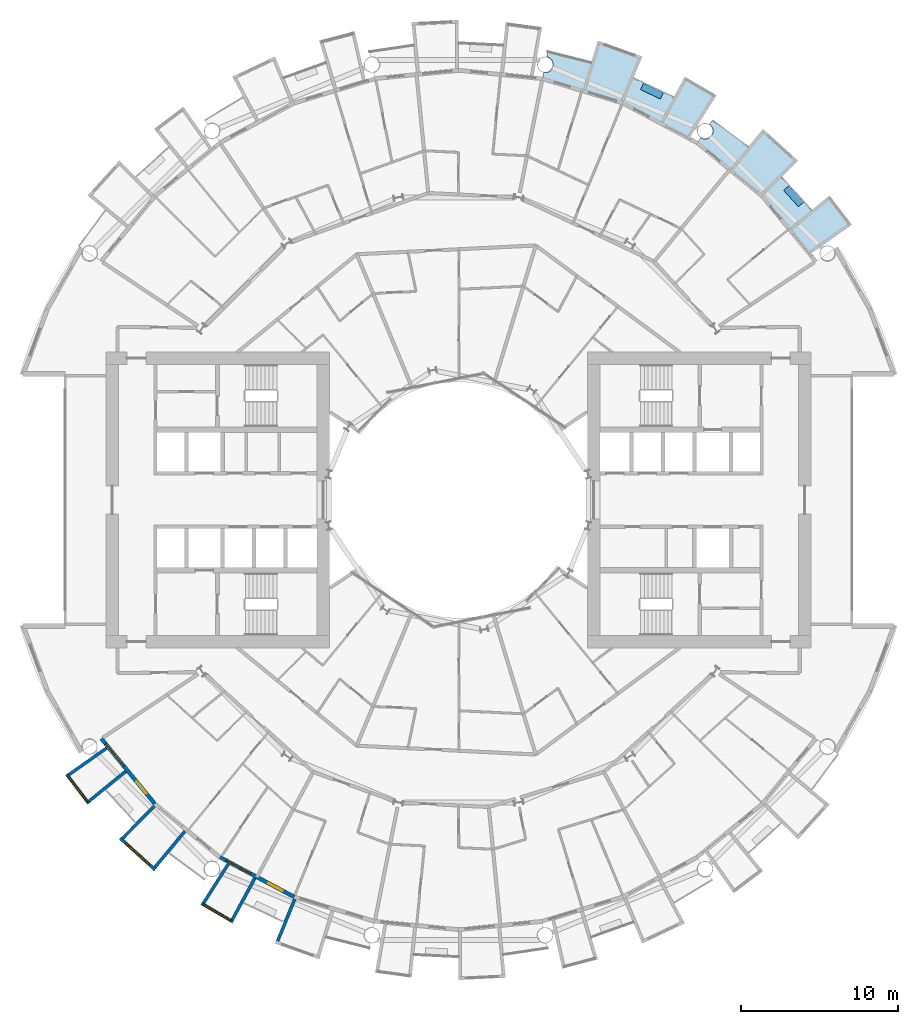
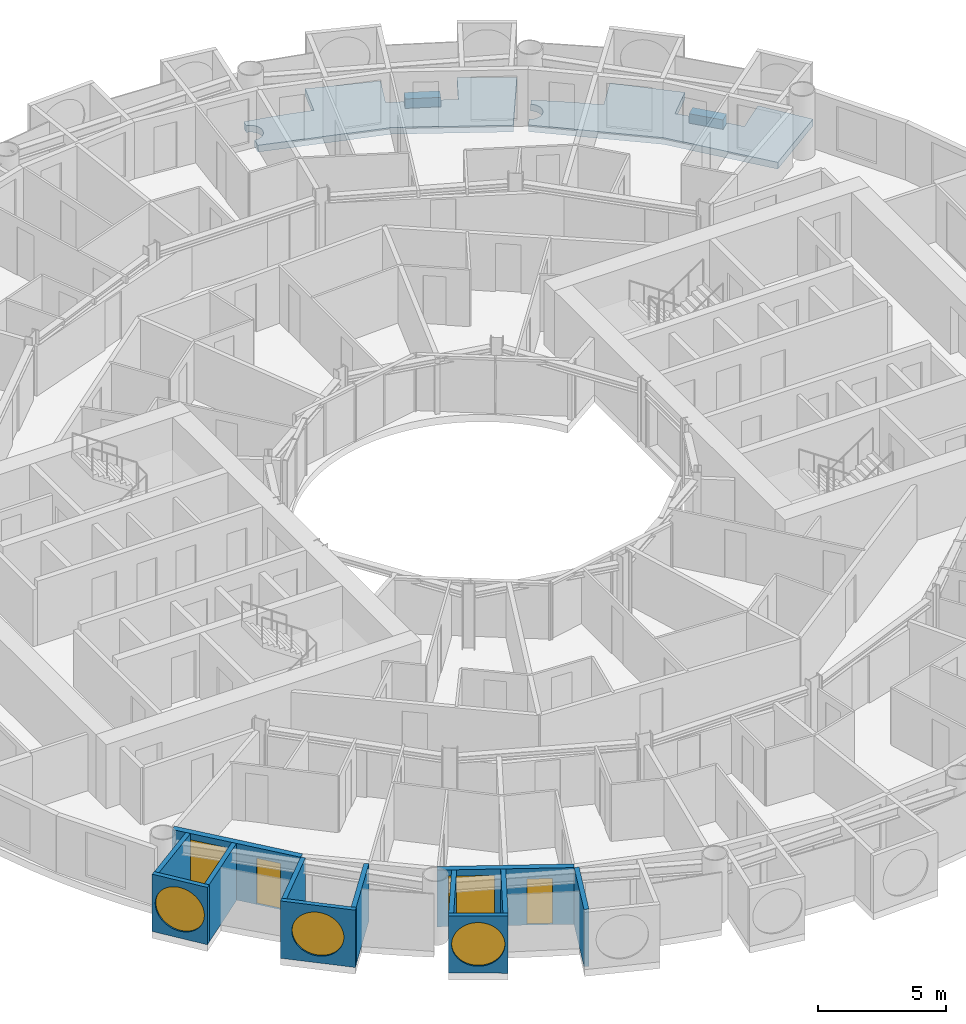
# One storey, part 12 of 26: 12 walls, 5 windows, 4 slabs, 2 doors, 7 openings.
"""IFC4 building model written with IfcOpenShell, lengths in metres."""

import ifcopenshell
import ifcopenshell.guid

model = None  # the IFC model being written
_history = None  # IfcOwnerHistory: only IFC2X3 demands one
_inside = {}  # id of a spatial element -> (the spatial element, [elements in it])
_under = {}  # id of a project, library or spatial element -> (it, [spatial elements below it])
_declared = {}  # id of a project -> (the project, [libraries it declares])
_typed = {}  # id of a type object -> (the type object, [elements of that type])
_made_of = {}  # id of a material, layer set ... -> (it, [elements and type objects made of it])


def new_model(schema):
    """Start an empty IFC model of exactly this schema.

    Asked for "IFC4X3", IfcOpenShell would pick the latest addendum, in which some entities
    have other attributes; the version numbers below select the first issue.
    IFC2X3 requires an IfcOwnerHistory on every rooted entity: one is made here for all.
    """
    global model, _history
    if schema == "IFC4X3":
        model = ifcopenshell.file(schema_version=(4, 3, 0, 0))
    else:
        model = ifcopenshell.file(schema=schema)
    _inside.clear()
    _under.clear()
    _declared.clear()
    _typed.clear()
    _made_of.clear()
    _history = None
    if model.schema == "IFC2X3":
        org = make("IfcOrganization", Name="unknown")
        user = make(
            "IfcPersonAndOrganization",
            ThePerson=make("IfcPerson", FamilyName="unknown"),
            TheOrganization=org,
        )
        app = make(
            "IfcApplication",
            ApplicationDeveloper=org,
            Version="unknown",
            ApplicationFullName="unknown",
            ApplicationIdentifier="unknown",
        )
        _history = make(
            "IfcOwnerHistory",
            OwningUser=user,
            OwningApplication=app,
            ChangeAction="ADDED",
            CreationDate=0,
        )
    return model


def make(cls, **values):
    """One entity of the class cls with the attributes given. An attribute that is None is left unset."""
    return model.create_entity(
        cls, **{name: value for name, value in values.items() if value is not None}
    )


def rooted(cls, **values):
    """An entity with a GlobalId (a new one), such as an element, a storey or a relation."""
    return make(cls, GlobalId=ifcopenshell.guid.new(), OwnerHistory=_history, **values)


def si_unit(unit_type, name, prefix=None):
    """IfcSIUnit, for example si_unit("LENGTHUNIT", "METRE", prefix="MILLI")."""
    return make("IfcSIUnit", UnitType=unit_type, Prefix=prefix, Name=name)


def assignment(units):
    """IfcUnitAssignment: the units of a project."""
    return None if units is None else make("IfcUnitAssignment", Units=units)


def point(xyz):
    """IfcCartesianPoint."""
    return None if xyz is None else make("IfcCartesianPoint", Coordinates=xyz)


def direction(xyz):
    """IfcDirection."""
    return None if xyz is None else make("IfcDirection", DirectionRatios=xyz)


def frame(location, z_axis=None, x_axis=None):
    """IfcAxis2Placement3D, a coordinate frame: its origin and axes. An axis left out is left unset."""
    return make(
        "IfcAxis2Placement3D",
        Location=point(location),
        Axis=direction(z_axis),
        RefDirection=direction(x_axis),
    )


def frame_2d(location, x_axis=None):
    """IfcAxis2Placement2D, a coordinate frame in the plane: its origin and x axis."""
    return make(
        "IfcAxis2Placement2D", Location=point(location), RefDirection=direction(x_axis)
    )


def origin():
    """The frame at (0, 0, 0) with its axes left unset."""
    return frame((0.0, 0.0, 0.0))


def place(relative_to, where):
    """IfcLocalPlacement: puts the frame where relative to a parent placement (None: the world)."""
    return make(
        "IfcLocalPlacement", PlacementRelTo=relative_to, RelativePlacement=where
    )


def context(
    kind, dimensions, precision=None, world=None, true_north=None, identifier=None
):
    """IfcGeometricRepresentationContext, for example the 3D "Model" context."""
    return make(
        "IfcGeometricRepresentationContext",
        ContextIdentifier=identifier,
        ContextType=kind,
        CoordinateSpaceDimension=dimensions,
        Precision=precision,
        WorldCoordinateSystem=world,
        TrueNorth=true_north,
    )


def subcontext(parent, identifier, kind, view, scale=None):
    """IfcGeometricRepresentationSubContext, for example "Body" below "Model"."""
    return make(
        "IfcGeometricRepresentationSubContext",
        ContextIdentifier=identifier,
        ContextType=kind,
        ParentContext=parent,
        TargetScale=scale,
        TargetView=view,
    )


def project(units=None, contexts=None):
    """IfcProject with its units and contexts."""
    return rooted(
        "IfcProject",
        Name="project",
        RepresentationContexts=contexts,
        UnitsInContext=assignment(units),
    )


def spatial(cls, under=None, at=None, **own):
    """A site, building, storey or space (cls), placed at a placement, below another one or the project."""
    s = rooted(cls, ObjectPlacement=at, **own)
    if under is not None:
        _under.setdefault(under.id(), (under, []))[1].append(s)
    return s


def polyline(points):
    """IfcPolyline through the points."""
    return make("IfcPolyline", Points=[point(p) for p in points])


def profile(cls, at=None, kind="AREA", **sizes):
    """A parametric profile (cls). Its sizes go by their IFC names, for example OverallWidth=200.0."""
    return make(cls, ProfileType=kind, Position=at, **sizes)


def rectangle(**sizes):
    """IfcRectangleProfileDef."""
    return profile("IfcRectangleProfileDef", **sizes)


def circle(**sizes):
    """IfcCircleProfileDef."""
    return profile("IfcCircleProfileDef", **sizes)


def outline(outer, holes=None, kind="AREA"):
    """IfcArbitraryClosedProfileDef: a profile drawn as a closed curve; with holes, ...WithVoids."""
    if holes is None:
        return make("IfcArbitraryClosedProfileDef", ProfileType=kind, OuterCurve=outer)
    return make(
        "IfcArbitraryProfileDefWithVoids",
        ProfileType=kind,
        OuterCurve=outer,
        InnerCurves=holes,
    )


def extrude(swept, where, along, depth):
    """IfcExtrudedAreaSolid: the profile swept, set in the frame where, extruded along a direction by depth."""
    return make(
        "IfcExtrudedAreaSolid",
        SweptArea=swept,
        Position=where,
        ExtrudedDirection=direction(along),
        Depth=depth,
    )


def shape(context_of_items, identifier, shape_type, items):
    """IfcShapeRepresentation: the items that make up one representation, for example the "Body"."""
    return make(
        "IfcShapeRepresentation",
        ContextOfItems=context_of_items,
        RepresentationIdentifier=identifier,
        RepresentationType=shape_type,
        Items=items,
    )


def material(Name=None, Category=None):
    """IfcMaterial."""
    return make("IfcMaterial", Name=Name, Category=Category)


def layer(
    of_material, thickness, ventilated=None, Name=None, Category=None, Priority=None
):
    """IfcMaterialLayer: one layer of a wall or slab, of a material (None: an air gap)."""
    return make(
        "IfcMaterialLayer",
        Material=of_material,
        LayerThickness=thickness,
        IsVentilated=ventilated,
        Name=Name,
        Category=Category,
        Priority=Priority,
    )


def layer_set(layers, Name=None):
    """IfcMaterialLayerSet."""
    return make("IfcMaterialLayerSet", MaterialLayers=layers, LayerSetName=Name)


def made_of(thing, what):
    """Note that an element or type object is made of a material, layer set ...; save() writes the relation."""
    if what is not None:
        _made_of.setdefault(what.id(), (what, []))[1].append(thing)
    return thing


def type_object(cls, material=None, **own):
    """A type object (cls), such as IfcWallType, which elements share."""
    return made_of(rooted(cls, **own), material)


def element(
    cls,
    number,
    at=None,
    inside=None,
    cuts=None,
    type_object=None,
    material=None,
    context=None,
    identifier="Body",
    shape_type=None,
    held_by="IfcProductDefinitionShape",
    body=None,
    shapes=None,
    **own,
):
    """One element of the class cls, such as IfcWall. Its Tag is "e" and its number.

    at: its placement. inside: the storey or other place that contains it. cuts: it is an
    opening in that element (IfcRelVoidsElement). A single representation is given by context,
    identifier, shape_type and body (its items); several are given by shapes. held_by: the class
    of the entity that holds the representations. save() writes the other relations.
    """
    e = rooted(cls, Tag="e%d" % number, ObjectPlacement=at, **own)
    if body is not None:
        shapes = [shape(context, identifier, shape_type, body)]
    if shapes is not None:
        e.Representation = make(held_by, Representations=shapes)
    if inside is not None:
        _inside.setdefault(inside.id(), (inside, []))[1].append(e)
    if cuts is not None:
        rooted(
            "IfcRelVoidsElement", RelatingBuildingElement=cuts, RelatedOpeningElement=e
        )
    if type_object is not None:
        _typed.setdefault(type_object.id(), (type_object, []))[1].append(e)
    return made_of(e, material)


def fill(opening, filler):
    """IfcRelFillsElement: the door or window that sits in an opening."""
    return rooted(
        "IfcRelFillsElement",
        RelatingOpeningElement=opening,
        RelatedBuildingElement=filler,
    )


def aggregate(whole, parts):
    """IfcRelAggregates: a whole, such as a stair, and the parts it consists of."""
    return rooted("IfcRelAggregates", RelatingObject=whole, RelatedObjects=parts)


def save(model, path):
    """Write the relations noted so far, then the file.

    IfcRelAggregates (storeys below a building ...), IfcRelContainedInSpatialStructure (elements
    in a storey), IfcRelDefinesByType, IfcRelAssociatesMaterial and IfcRelDeclares: one each for
    every whole, place, type object, material and project.
    """
    for whole, parts in _under.values():
        aggregate(whole, parts)
    for where, things in _inside.values():
        rooted(
            "IfcRelContainedInSpatialStructure",
            RelatedElements=things,
            RelatingStructure=where,
        )
    for kind, things in _typed.values():
        rooted("IfcRelDefinesByType", RelatedObjects=things, RelatingType=kind)
    for what, things in _made_of.values():
        rooted("IfcRelAssociatesMaterial", RelatedObjects=things, RelatingMaterial=what)
    for by, libraries in _declared.values():
        rooted("IfcRelDeclares", RelatingContext=by, RelatedDefinitions=libraries)
    model.write(path)


model = new_model("IFC4")

# Units and contexts
model_context = context("Model", 3, precision=1e-05, world=origin(), true_north=direction((0.0, 1.0)))
body_context = subcontext(model_context, "Body", "Model", "MODEL_VIEW")
ifc_project = project(units=[si_unit("LENGTHUNIT", "METRE"), si_unit("AREAUNIT", "SQUARE_METRE"), si_unit("VOLUMEUNIT", "CUBIC_METRE"), si_unit("PLANEANGLEUNIT", "RADIAN"), si_unit("MASSUNIT", "GRAM", prefix="KILO")], contexts=[model_context])

# Site, building, storey
site_placement = place(None, origin())
site = spatial("IfcSite", under=ifc_project, at=site_placement, CompositionType="ELEMENT")
building_placement = place(site_placement, origin())
building = spatial("IfcBuilding", under=site, at=building_placement, Name="Maasbend Ring Residences", CompositionType="ELEMENT")
storey_placement = place(building_placement, frame((0.0, 0.0, 44.14990234375)))
storey = spatial("IfcBuildingStorey", under=building, at=storey_placement, Name="L12", CompositionType="ELEMENT", Elevation=44.14990234375)

# Slabs
ifc_material_1 = material(Name="Planting with climbing greenery")
ifc_layer_1 = layer(ifc_material_1, 0.449951171875)
ifc_layer_set_1 = layer_set([ifc_layer_1], Name="PLANTER-LG")
slab_type_1 = type_object("IfcSlabType", Name="PLANTER-LG", PredefinedType="USERDEFINED", material=ifc_layer_set_1)
slab_1_placement = place(storey_placement, frame((0.0, 0.0, -0.02978515625)))
element("IfcSlab", 1, at=slab_1_placement, inside=storey, type_object=slab_type_1, Name="Planter with climbing greenery 1", ObjectType="PLANTER", PredefinedType="USERDEFINED", context=body_context, shape_type="SweptSolid", body=[
    extrude(outline(polyline([(21.931884765625, 18.93310546875), (20.991943359375, 19.969970703125), (20.657958984375, 19.66796875), (21.597900390625, 18.631103515625), (21.931884765625, 18.93310546875)])), origin(), (0.0, 0.0, 1.0), 0.449951171875),
])
slab_2_placement = place(storey_placement, frame((0.0, 0.0, -0.02978515625)))
element("IfcSlab", 2, at=slab_2_placement, inside=storey, type_object=slab_type_1, Name="Planter with climbing greenery 2", ObjectType="PLANTER", PredefinedType="USERDEFINED", context=body_context, shape_type="SweptSolid", body=[
    extrude(outline(polyline([(13.01708984375, 25.885009765625), (11.7509765625, 26.48291015625), (11.55908203125, 26.076904296875), (12.824951171875, 25.47802734375), (13.01708984375, 25.885009765625)])), origin(), (0.0, 0.0, 1.0), 0.449951171875),
])
ifc_material_2 = material(Name="Concrete C40/50", Category="concrete")
ifc_layer_2 = layer(ifc_material_2, 0.199951171875)
ifc_layer_set_2 = layer_set([ifc_layer_2], Name="Concrete C40/50")
slab_type_2 = type_object("IfcSlabType", Name="SL-LOGGIA", PredefinedType="FLOOR", material=ifc_layer_set_2)
slab_3_placement = place(storey_placement, frame((0.0, 0.0, -0.349853515625)))
element("IfcSlab", 3, at=slab_3_placement, inside=storey, type_object=slab_type_2, Name="Loggia floor 2", PredefinedType="FLOOR", context=body_context, shape_type="SweptSolid", body=[
    extrude(outline(polyline([(5.43896484375, 27.154052734375), (5.451904296875, 27.153076171875), (5.464111328125, 27.15087890625), (5.47705078125, 27.15087890625), (5.489013671875, 27.14990234375), (5.501953125, 27.14990234375), (5.513916015625, 27.14990234375), (5.52587890625, 27.15087890625), (5.5390625, 27.15087890625), (5.551025390625, 27.153076171875), (5.56396484375, 27.154052734375), (5.575927734375, 27.156005859375), (5.587890625, 27.157958984375), (5.60107421875, 27.159912109375), (5.613037109375, 27.162109375), (5.625, 27.1650390625), (5.636962890625, 27.1689453125), (5.64892578125, 27.172119140625), (5.660888671875, 27.176025390625), (5.673095703125, 27.179931640625), (5.68408203125, 27.18408203125), (5.696044921875, 27.18896484375), (5.70703125, 27.194091796875), (5.718994140625, 27.198974609375), (5.72998046875, 27.2041015625), (5.740966796875, 27.2099609375), (5.751953125, 27.216064453125), (5.762939453125, 27.221923828125), (5.77294921875, 27.22900390625), (5.783935546875, 27.236083984375), (5.7939453125, 27.242919921875), (5.803955078125, 27.25), (5.81396484375, 27.258056640625), (5.823974609375, 27.264892578125), (5.8330078125, 27.27294921875), (5.843017578125, 27.281982421875), (5.85205078125, 27.2900390625), (5.861083984375, 27.299072265625), (5.868896484375, 27.30810546875), (5.8779296875, 27.31689453125), (5.885986328125, 27.325927734375), (5.89404296875, 27.3359375), (5.902099609375, 27.345947265625), (5.909912109375, 27.35498046875), (5.9169921875, 27.365966796875), (5.924072265625, 27.3759765625), (5.930908203125, 27.385986328125), (5.93701171875, 27.39697265625), (5.944091796875, 27.407958984375), (5.949951171875, 27.4189453125), (5.955078125, 27.429931640625), (5.9609375, 27.44091796875), (5.966064453125, 27.451904296875), (5.970947265625, 27.464111328125), (5.97509765625, 27.47509765625), (5.97998046875, 27.487060546875), (5.98388671875, 27.4990234375), (5.988037109375, 27.510986328125), (5.990966796875, 27.52294921875), (5.993896484375, 27.534912109375), (5.9970703125, 27.547119140625), (6.0, 27.55908203125), (6.001953125, 27.571044921875), (6.00390625, 27.583984375), (6.006103515625, 27.595947265625), (6.007080078125, 27.60791015625), (6.008056640625, 27.62109375), (6.009033203125, 27.633056640625), (6.009033203125, 27.64599609375), (6.010009765625, 27.657958984375), (6.009033203125, 27.6708984375), (6.009033203125, 27.68310546875), (6.008056640625, 27.695068359375), (6.007080078125, 27.7080078125), (6.006103515625, 27.719970703125), (6.00390625, 27.73291015625), (6.001953125, 27.7451171875), (6.0, 27.757080078125), (5.9970703125, 27.76904296875), (5.993896484375, 27.781982421875), (5.990966796875, 27.7939453125), (5.988037109375, 27.805908203125), (5.98388671875, 27.81689453125), (5.97998046875, 27.8291015625), (5.97509765625, 27.841064453125), (5.970947265625, 27.85302734375), (5.966064453125, 27.864013671875), (5.9609375, 27.875), (5.955078125, 27.886962890625), (5.949951171875, 27.89794921875), (5.944091796875, 27.907958984375), (5.93701171875, 27.9189453125), (5.930908203125, 27.929931640625), (5.924072265625, 27.93994140625), (5.9169921875, 27.950927734375), (5.909912109375, 27.9609375), (5.902099609375, 27.970947265625), (5.89404296875, 27.97998046875), (5.885986328125, 27.989990234375), (5.8779296875, 27.9990234375), (5.868896484375, 28.008056640625), (5.861083984375, 28.01708984375), (5.85205078125, 28.02587890625), (5.843017578125, 28.034912109375), (5.8330078125, 28.04296875), (5.823974609375, 28.051025390625), (5.81396484375, 28.05908203125), (5.803955078125, 28.06591796875), (5.7939453125, 28.072998046875), (5.783935546875, 28.080078125), (5.77294921875, 28.0869140625), (5.762939453125, 28.093994140625), (5.751953125, 28.10009765625), (5.740966796875, 28.10595703125), (5.72998046875, 28.112060546875), (5.718994140625, 28.116943359375), (5.70703125, 28.123046875), (5.696044921875, 28.126953125), (5.68408203125, 28.132080078125), (5.673095703125, 28.135986328125), (5.660888671875, 28.139892578125), (5.64892578125, 28.14404296875), (5.636962890625, 28.14794921875), (5.625, 28.15087890625), (5.613037109375, 28.154052734375), (5.60107421875, 28.156005859375), (5.657958984375, 28.443115234375), (5.657958984375, 28.443115234375), (5.657958984375, 28.443115234375), (6.5849609375, 28.241943359375), (6.5849609375, 28.241943359375), (7.506103515625, 28.011962890625), (7.506103515625, 28.011962890625), (8.41796875, 27.7509765625), (8.41796875, 27.7509765625), (8.41796875, 27.7509765625), (8.41796875, 27.7509765625), (8.41796875, 27.7509765625), (8.41796875, 27.7509765625), (8.41796875, 27.7509765625), (8.41796875, 27.7509765625), (8.41796875, 27.7509765625), (8.41796875, 27.7509765625), (8.41796875, 27.751953125), (8.41796875, 27.751953125), (8.41796875, 27.751953125), (8.41796875, 27.751953125), (8.41796875, 27.751953125), (8.41796875, 27.751953125), (8.41796875, 27.751953125), (8.85400390625, 29.18701171875), (8.85400390625, 29.18701171875), (8.85400390625, 29.18701171875), (11.672119140625, 28.177978515625), (11.672119140625, 28.177978515625), (11.672119140625, 28.177978515625), (11.097900390625, 26.79296875), (11.097900390625, 26.79296875), (11.097900390625, 26.79296875), (11.097900390625, 26.79296875), (11.097900390625, 26.79296875), (11.097900390625, 26.79296875), (11.097900390625, 26.79296875), (11.097900390625, 26.79296875), (11.097900390625, 26.79296875), (11.097900390625, 26.79296875), (11.097900390625, 26.7919921875), (11.097900390625, 26.7919921875), (11.097900390625, 26.7919921875), (11.097900390625, 26.7919921875), (11.097900390625, 26.7919921875), (11.097900390625, 26.7919921875), (11.097900390625, 26.7919921875), (11.968994140625, 26.4150390625), (11.968994140625, 26.4150390625), (12.825927734375, 26.009033203125), (12.825927734375, 26.009033203125), (13.669921875, 25.575927734375), (13.669921875, 25.575927734375), (13.669921875, 25.575927734375), (13.669921875, 25.575927734375), (13.669921875, 25.575927734375), (13.669921875, 25.575927734375), (13.669921875, 25.575927734375), (13.669921875, 25.575927734375), (13.669921875, 25.575927734375), (13.669921875, 25.575927734375), (13.6708984375, 25.575927734375), (13.6708984375, 25.575927734375), (13.6708984375, 25.575927734375), (13.6708984375, 25.575927734375), (13.6708984375, 25.575927734375), (13.6708984375, 25.575927734375), (13.6708984375, 25.575927734375), (14.3779296875, 26.89892578125), (14.3779296875, 26.89892578125), (14.3779296875, 26.89892578125), (16.39404296875, 25.718994140625), (16.39404296875, 25.718994140625), (16.39404296875, 25.718994140625), (14.64599609375, 22.97705078125), (14.64599609375, 22.97705078125), (14.64599609375, 22.97705078125), (12.806884765625, 23.9609375), (10.447021484375, 25.221923828125), (10.447021484375, 25.221923828125), (10.447021484375, 25.221923828125), (7.886962890625, 25.9990234375), (5.325927734375, 26.77490234375), (5.325927734375, 26.77490234375), (5.325927734375, 26.77490234375), (5.402099609375, 27.159912109375), (5.4150390625, 27.157958984375), (5.427001953125, 27.156005859375), (5.43896484375, 27.154052734375)])), origin(), (0.0, 0.0, 1.0), 0.320068359375),
])
slab_4_placement = place(storey_placement, frame((0.0, 0.0, -0.349853515625)))
element("IfcSlab", 4, at=slab_4_placement, inside=storey, type_object=slab_type_2, Name="Loggia floor 4", PredefinedType="FLOOR", context=body_context, shape_type="SweptSolid", body=[
    extrude(outline(polyline([(15.406005859375, 23.011962890625), (15.4169921875, 23.0048828125), (15.427978515625, 22.9990234375), (15.43896484375, 22.993896484375), (15.449951171875, 22.988037109375), (15.4609375, 22.98291015625), (15.472900390625, 22.97802734375), (15.48388671875, 22.972900390625), (15.49609375, 22.968994140625), (15.508056640625, 22.965087890625), (15.52001953125, 22.9609375), (15.531982421875, 22.9580078125), (15.5439453125, 22.955078125), (15.555908203125, 22.951904296875), (15.568115234375, 22.948974609375), (15.580078125, 22.947021484375), (15.593017578125, 22.945068359375), (15.60498046875, 22.943115234375), (15.616943359375, 22.94189453125), (15.6298828125, 22.94091796875), (15.64208984375, 22.93994140625), (15.655029296875, 22.93994140625), (15.6669921875, 22.93896484375), (15.679931640625, 22.93994140625), (15.69189453125, 22.93994140625), (15.7041015625, 22.94091796875), (15.717041015625, 22.94189453125), (15.72900390625, 22.943115234375), (15.741943359375, 22.945068359375), (15.75390625, 22.947021484375), (15.76611328125, 22.948974609375), (15.778076171875, 22.951904296875), (15.791015625, 22.955078125), (15.802978515625, 22.9580078125), (15.81494140625, 22.9609375), (15.825927734375, 22.965087890625), (15.837890625, 22.968994140625), (15.85009765625, 22.972900390625), (15.862060546875, 22.97802734375), (15.873046875, 22.98291015625), (15.884033203125, 22.988037109375), (15.89599609375, 22.993896484375), (15.906982421875, 22.9990234375), (15.9169921875, 23.0048828125), (15.927978515625, 23.011962890625), (15.93896484375, 23.01806640625), (15.948974609375, 23.02490234375), (15.9599609375, 23.031982421875), (15.969970703125, 23.0390625), (15.97998046875, 23.047119140625), (15.989013671875, 23.054931640625), (15.9990234375, 23.06298828125), (16.008056640625, 23.071044921875), (16.01708984375, 23.0791015625), (16.02587890625, 23.087890625), (16.034912109375, 23.096923828125), (16.0439453125, 23.10595703125), (16.052001953125, 23.115966796875), (16.06005859375, 23.125), (16.068115234375, 23.135009765625), (16.074951171875, 23.14501953125), (16.08203125, 23.155029296875), (16.089111328125, 23.1650390625), (16.095947265625, 23.176025390625), (16.10302734375, 23.18603515625), (16.10888671875, 23.197021484375), (16.114990234375, 23.2080078125), (16.12109375, 23.218994140625), (16.1259765625, 23.22998046875), (16.132080078125, 23.241943359375), (16.135986328125, 23.2529296875), (16.14111328125, 23.264892578125), (16.14501953125, 23.27587890625), (16.14892578125, 23.2880859375), (16.153076171875, 23.300048828125), (16.156982421875, 23.31201171875), (16.159912109375, 23.323974609375), (16.1630859375, 23.3359375), (16.1650390625, 23.347900390625), (16.16796875, 23.361083984375), (16.169921875, 23.373046875), (16.1708984375, 23.385009765625), (16.173095703125, 23.39794921875), (16.174072265625, 23.409912109375), (16.174072265625, 23.422119140625), (16.175048828125, 23.43505859375), (16.175048828125, 23.447021484375), (16.175048828125, 23.4599609375), (16.174072265625, 23.471923828125), (16.174072265625, 23.485107421875), (16.173095703125, 23.4970703125), (16.1708984375, 23.510009765625), (16.169921875, 23.52197265625), (16.16796875, 23.533935546875), (16.1650390625, 23.547119140625), (16.1630859375, 23.55908203125), (16.159912109375, 23.571044921875), (16.156982421875, 23.5830078125), (16.153076171875, 23.594970703125), (16.14892578125, 23.60693359375), (16.14501953125, 23.618896484375), (16.14111328125, 23.6298828125), (16.135986328125, 23.64208984375), (16.132080078125, 23.653076171875), (16.1259765625, 23.6650390625), (16.12109375, 23.676025390625), (16.114990234375, 23.68701171875), (16.10888671875, 23.697998046875), (16.10302734375, 23.708984375), (16.095947265625, 23.718994140625), (16.089111328125, 23.72998046875), (16.08203125, 23.739990234375), (16.074951171875, 23.75), (16.068115234375, 23.760009765625), (16.06005859375, 23.77001953125), (16.052001953125, 23.779052734375), (16.0439453125, 23.7890625), (16.034912109375, 23.798095703125), (16.02587890625, 23.806884765625), (16.01708984375, 23.81494140625), (16.008056640625, 23.823974609375), (15.9990234375, 23.83203125), (15.989013671875, 23.840087890625), (15.97998046875, 23.847900390625), (15.969970703125, 23.85498046875), (15.9599609375, 23.863037109375), (15.948974609375, 23.8701171875), (15.948974609375, 23.8701171875), (16.112060546875, 24.113037109375), (16.112060546875, 24.113037109375), (16.112060546875, 24.113037109375), (16.89208984375, 23.572998046875), (16.89208984375, 23.572998046875), (17.654052734375, 23.007080078125), (17.654052734375, 23.007080078125), (18.39697265625, 22.41796875), (18.39697265625, 22.41796875), (18.39697265625, 22.41796875), (18.39697265625, 22.41796875), (18.39697265625, 22.41796875), (18.39697265625, 22.41796875), (18.39697265625, 22.41796875), (18.39697265625, 22.41796875), (18.39697265625, 22.41796875), (18.39697265625, 22.41796875), (18.39697265625, 22.41796875), (18.39794921875, 22.41796875), (18.39794921875, 22.41796875), (18.39794921875, 22.41796875), (18.39794921875, 22.41796875), (18.39794921875, 22.41796875), (18.39794921875, 22.41796875), (19.34912109375, 23.576904296875), (19.34912109375, 23.576904296875), (19.34912109375, 23.576904296875), (21.56689453125, 21.56689453125), (21.56689453125, 21.56689453125), (21.56689453125, 21.56689453125), (20.506103515625, 20.506103515625), (20.506103515625, 20.506103515625), (20.506103515625, 20.506103515625), (20.506103515625, 20.506103515625), (20.506103515625, 20.506103515625), (20.506103515625, 20.506103515625), (20.506103515625, 20.506103515625), (20.506103515625, 20.506103515625), (20.506103515625, 20.506103515625), (20.506103515625, 20.506103515625), (20.506103515625, 20.506103515625), (20.506103515625, 20.506103515625), (20.506103515625, 20.506103515625), (20.506103515625, 20.506103515625), (20.506103515625, 20.506103515625), (20.506103515625, 20.506103515625), (20.506103515625, 20.506103515625), (21.166015625, 19.823974609375), (21.166015625, 19.823974609375), (21.802978515625, 19.12109375), (21.802978515625, 19.12109375), (22.4169921875, 18.39794921875), (22.4169921875, 18.39794921875), (22.4169921875, 18.39794921875), (22.4169921875, 18.39794921875), (22.4169921875, 18.39794921875), (22.4169921875, 18.39794921875), (22.4169921875, 18.39794921875), (22.4169921875, 18.39794921875), (22.4169921875, 18.39794921875), (22.4169921875, 18.39794921875), (22.4169921875, 18.39794921875), (22.4169921875, 18.39794921875), (22.41796875, 18.39794921875), (22.41796875, 18.39794921875), (22.41796875, 18.39794921875), (22.41796875, 18.39794921875), (22.41796875, 18.39794921875), (23.576904296875, 19.34912109375), (23.576904296875, 19.34912109375), (23.576904296875, 19.34912109375), (24.989013671875, 17.488037109375), (24.989013671875, 17.488037109375), (24.989013671875, 17.488037109375), (22.324951171875, 15.623046875), (22.324951171875, 15.623046875), (22.324951171875, 15.623046875), (21.001953125, 17.236083984375), (19.303955078125, 19.303955078125), (19.303955078125, 19.303955078125), (19.303955078125, 19.303955078125), (17.236083984375, 21.001953125), (15.1669921875, 22.698974609375), (15.1669921875, 22.698974609375), (15.1669921875, 22.698974609375), (15.385009765625, 23.02490234375), (15.385009765625, 23.02490234375), (15.39501953125, 23.01806640625), (15.406005859375, 23.011962890625)])), origin(), (0.0, 0.0, 1.0), 0.320068359375),
])

# Wall, opening, window
ifc_material_3 = material(Name="Pale anodised aluminium panel", Category="aluminium")
ifc_layer_3 = layer(ifc_material_3, 0.199951171875)
ifc_layer_set_3 = layer_set([ifc_layer_3], Name="EW-BOX")
wall_type_1 = type_object("IfcWallType", Name="EW-BOX", PredefinedType="SOLIDWALL", material=ifc_layer_set_3)
wall_1_placement = place(storey_placement, frame((-24.908935546875, -17.427001953125, -0.02978515625), z_axis=(0.0, 0.0, 1.0), x_axis=(0.60418752353, -0.796842165306, 0.0)))
wall_1 = element("IfcWall", 5, at=wall_1_placement, inside=storey, type_object=wall_type_1, Name="Box front S01", PredefinedType="SOLIDWALL", context=body_context, shape_type="SweptSolid", body=[
    extrude(rectangle(XDim=2.3369140625, YDim=0.199951171875, at=frame_2d((1.16845703125, 0.0))), origin(), (0.0, 0.0, 1.0), 2.72998046875),
])
opening_1_placement = place(wall_1_placement, frame((0.128173828125, 0.0, 0.330078125)))
opening_1 = element("IfcOpeningElement", 6, at=opening_1_placement, cuts=wall_1, Name="Opening W-RD", PredefinedType="OPENING", context=body_context, shape_type="SweptSolid", body=[
    extrude(circle(Radius=1.0400390625, at=frame_2d((1.0400390625, 1.0400390625))), frame((0.0, 0.10986328125, 0.0), z_axis=(0.0, -1.0, 0.0), x_axis=(1.0, 0.0, 0.0)), (0.0, 0.0, 1.0), 0.219970703125),
])
ifc_material_4 = material(Name="Aluminium and clear glass", Category="aluminium")
window_type_1 = type_object("IfcWindowType", Name="W-RD", PartitioningType="SINGLE_PANEL", PredefinedType="WINDOW", material=ifc_material_4)
window_1_placement = place(opening_1_placement, origin())
window_1 = element("IfcWindow", 7, at=window_1_placement, inside=storey, type_object=window_type_1, Name="Round window S01", OverallHeight=2.080078125, OverallWidth=2.080078125, PartitioningType="SINGLE_PANEL", PredefinedType="WINDOW", context=body_context, shape_type="SweptSolid", body=[
    extrude(circle(Radius=1.0400390625, at=frame_2d((1.0400390625, 1.0400390625))), frame((0.0, 0.030029296875, 0.0), z_axis=(0.0, -1.0, 0.0), x_axis=(1.0, 0.0, 0.0)), (0.0, 0.0, 1.0), 0.06005859375),
])
fill(opening_1, window_1)

# Walls
wall_2_placement = place(storey_placement, frame((-22.3701171875, -15.764892578125, -0.02978515625), z_axis=(0.0, 0.0, 1.0), x_axis=(-0.817256123454, -0.576274612209, 0.0)))
element("IfcWall", 8, at=wall_2_placement, inside=storey, type_object=wall_type_1, Name="Box side wall S01 left", PredefinedType="SOLIDWALL", context=body_context, shape_type="SweptSolid", body=[
    extrude(rectangle(XDim=2.932861328125, YDim=0.199951171875, at=frame_2d((1.46630859375, 0.0))), origin(), (0.0, 0.0, 1.0), 2.72998046875),
])
wall_3_placement = place(storey_placement, frame((-21.155029296875, -17.24609375, -0.02978515625), z_axis=(0.0, 0.0, 1.0), x_axis=(-0.775179004516, -0.631741648902, 0.0)))
element("IfcWall", 9, at=wall_3_placement, inside=storey, type_object=wall_type_1, Name="Box side wall S01 right", PredefinedType="SOLIDWALL", context=body_context, shape_type="SweptSolid", body=[
    extrude(rectangle(XDim=3.005859375, YDim=0.199951171875, at=frame_2d((1.5029296875, 0.0))), origin(), (0.0, 0.0, 1.0), 2.72998046875),
])

# Wall, opening, window
wall_4_placement = place(storey_placement, frame((-21.5, -21.492919921875, -0.02978515625), z_axis=(0.0, 0.0, 1.0), x_axis=(0.740998365753, -0.671506829416, 0.0)))
wall_4 = element("IfcWall", 10, at=wall_4_placement, inside=storey, type_object=wall_type_1, Name="Box front S03", PredefinedType="SOLIDWALL", context=body_context, shape_type="SweptSolid", body=[
    extrude(rectangle(XDim=2.9931640625, YDim=0.199951171875, at=frame_2d((1.49658203125, 0.0))), origin(), (0.0, 0.0, 1.0), 2.72998046875),
])
opening_2_placement = place(wall_4_placement, frame((0.45654296875, 0.0, 0.330078125)))
opening_2 = element("IfcOpeningElement", 11, at=opening_2_placement, cuts=wall_4, Name="Opening W-RD", PredefinedType="OPENING", context=body_context, shape_type="SweptSolid", body=[
    extrude(circle(Radius=1.0400390625, at=frame_2d((1.0400390625, 1.0400390625))), frame((0.0, 0.10986328125, 0.0), z_axis=(0.0, -1.0, 0.0), x_axis=(1.0, 0.0, 0.0)), (0.0, 0.0, 1.0), 0.219970703125),
])
window_2_placement = place(opening_2_placement, origin())
window_2 = element("IfcWindow", 12, at=window_2_placement, inside=storey, type_object=window_type_1, Name="Round window S03", OverallHeight=2.080078125, OverallWidth=2.080078125, PartitioningType="SINGLE_PANEL", PredefinedType="WINDOW", context=body_context, shape_type="SweptSolid", body=[
    extrude(circle(Radius=1.0400390625, at=frame_2d((1.0400390625, 1.0400390625))), frame((0.0, 0.030029296875, 0.0), z_axis=(0.0, -1.0, 0.0), x_axis=(1.0, 0.0, 0.0)), (0.0, 0.0, 1.0), 0.06005859375),
])
fill(opening_2, window_2)

# Walls
wall_5_placement = place(storey_placement, frame((-19.322998046875, -19.449951171875, -0.02978515625), z_axis=(0.0, 0.0, 1.0), x_axis=(-0.704476739375, -0.709727076896, 0.0)))
element("IfcWall", 13, at=wall_5_placement, inside=storey, type_object=wall_type_1, Name="Box side wall S03 left", PredefinedType="SOLIDWALL", context=body_context, shape_type="SweptSolid", body=[
    extrude(rectangle(XDim=2.883056640625, YDim=0.199951171875, at=frame_2d((1.44140625, 0.0))), origin(), (0.0, 0.0, 1.0), 2.72998046875),
])
wall_6_placement = place(storey_placement, frame((-17.384033203125, -21.041015625, -0.02978515625), z_axis=(0.0, 0.0, 1.0), x_axis=(-0.63709551667, -0.770784861449, 0.0)))
element("IfcWall", 14, at=wall_6_placement, inside=storey, type_object=wall_type_1, Name="Box side wall S03 right", PredefinedType="SOLIDWALL", context=body_context, shape_type="SweptSolid", body=[
    extrude(rectangle(XDim=3.005859375, YDim=0.199951171875, at=frame_2d((1.5029296875, 0.0))), origin(), (0.0, 0.0, 1.0), 2.72998046875),
])

# Wall, opening, window
wall_7_placement = place(storey_placement, frame((-16.343994140625, -25.633056640625, -0.02978515625), z_axis=(0.0, 0.0, 1.0), x_axis=(0.863346521872, -0.504611517081, 0.0)))
wall_7 = element("IfcWall", 15, at=wall_7_placement, inside=storey, type_object=wall_type_1, Name="Box front S05", PredefinedType="SOLIDWALL", context=body_context, shape_type="SweptSolid", body=[
    extrude(rectangle(XDim=2.33642578125, YDim=0.199951171875, at=frame_2d((1.168212890625, 0.0))), origin(), (0.0, 0.0, 1.0), 2.72998046875),
])
opening_3_placement = place(wall_7_placement, frame((0.128173828125, 0.0, 0.330078125)))
opening_3 = element("IfcOpeningElement", 16, at=opening_3_placement, cuts=wall_7, Name="Opening W-RD", PredefinedType="OPENING", context=body_context, shape_type="SweptSolid", body=[
    extrude(circle(Radius=1.0400390625, at=frame_2d((1.0400390625, 1.0400390625))), frame((0.0, 0.10986328125, 0.0), z_axis=(0.0, -1.0, 0.0), x_axis=(1.0, 0.0, 0.0)), (0.0, 0.0, 1.0), 0.219970703125),
])
window_3_placement = place(opening_3_placement, origin())
window_3 = element("IfcWindow", 17, at=window_3_placement, inside=storey, type_object=window_type_1, Name="Round window S05", OverallHeight=2.080078125, OverallWidth=2.080078125, PartitioningType="SINGLE_PANEL", PredefinedType="WINDOW", context=body_context, shape_type="SweptSolid", body=[
    extrude(circle(Radius=1.0400390625, at=frame_2d((1.0400390625, 1.0400390625))), frame((0.0, 0.030029296875, 0.0), z_axis=(0.0, -1.0, 0.0), x_axis=(1.0, 0.0, 0.0)), (0.0, 0.0, 1.0), 0.06005859375),
])
fill(opening_3, window_3)

# Walls
wall_8_placement = place(storey_placement, frame((-14.635009765625, -23.1259765625, -0.02978515625), z_axis=(0.0, 0.0, 1.0), x_axis=(-0.534437802731, -0.845207805816, 0.0)))
element("IfcWall", 18, at=wall_8_placement, inside=storey, type_object=wall_type_1, Name="Box side wall S05 left", PredefinedType="SOLIDWALL", context=body_context, shape_type="SweptSolid", body=[
    extrude(rectangle(XDim=2.931884765625, YDim=0.199951171875, at=frame_2d((1.4658203125, 0.0))), origin(), (0.0, 0.0, 1.0), 2.72998046875),
])
wall_9_placement = place(storey_placement, frame((-12.945068359375, -24.029052734375, -0.02978515625), z_axis=(0.0, 0.0, 1.0), x_axis=(-0.474424310775, -0.88029629861, 0.0)))
element("IfcWall", 19, at=wall_9_placement, inside=storey, type_object=wall_type_1, Name="Box side wall S05 right", PredefinedType="SOLIDWALL", context=body_context, shape_type="SweptSolid", body=[
    extrude(rectangle(XDim=3.005859375, YDim=0.199951171875, at=frame_2d((1.5029296875, 0.0))), origin(), (0.0, 0.0, 1.0), 2.72998046875),
])
wall_10_placement = place(storey_placement, frame((-10.408935546875, -25.364013671875, -0.02978515625), z_axis=(0.0, 0.0, 1.0), x_axis=(-0.379509886562, -0.925187681501, 0.0)))
element("IfcWall", 20, at=wall_10_placement, inside=storey, type_object=wall_type_1, Name="Box side wall S07 left", PredefinedType="SOLIDWALL", context=body_context, shape_type="SweptSolid", body=[
    extrude(rectangle(XDim=2.882568359375, YDim=0.199951171875, at=frame_2d((1.44140625, 0.0))), origin(), (0.0, 0.0, 1.0), 2.72998046875),
])

# Wall, openings, door, window
ifc_material_5 = material(Name="Aluminium clad insulated panel", Category="aluminium")
ifc_layer_4 = layer(ifc_material_5, 0.25)
ifc_layer_set_4 = layer_set([ifc_layer_4], Name="EW-GL")
wall_type_2 = type_object("IfcWallType", Name="EW-GL", PredefinedType="SOLIDWALL", material=ifc_layer_set_4)
wall_11_placement = place(storey_placement, frame((-22.698974609375, -15.1669921875, 0.0), z_axis=(0.0, 0.0, 1.0), x_axis=(0.634382322723, -0.773019449054, 0.0)))
wall_11 = element("IfcWall", 21, at=wall_11_placement, inside=storey, type_object=wall_type_2, Name="External wall S01", PredefinedType="SOLIDWALL", context=body_context, shape_type="SweptSolid", body=[
    extrude(rectangle(XDim=5.351806640625, YDim=0.25, at=frame_2d((2.67578125, 0.0))), origin(), (0.0, 0.0, 1.0), 2.7001953125),
])
opening_4_placement = place(wall_11_placement, frame((0.441162109375, 0.0, 0.300048828125)))
opening_4 = element("IfcOpeningElement", 22, at=opening_4_placement, cuts=wall_11, Name="Opening W-BX", PredefinedType="OPENING", context=body_context, shape_type="SweptSolid", body=[
    extrude(rectangle(XDim=1.800048828125, YDim=2.10009765625, at=frame_2d((0.89990234375, 1.050048828125))), frame((0.0, 0.135009765625, 0.0), z_axis=(0.0, -1.0, 0.0), x_axis=(1.0, 0.0, 0.0)), (0.0, 0.0, 1.0), 0.27001953125),
])
opening_5_placement = place(wall_11_placement, frame((3.510498046875, 0.0, 0.0)))
opening_5 = element("IfcOpeningElement", 23, at=opening_5_placement, cuts=wall_11, Name="Opening D-LG", PredefinedType="OPENING", context=body_context, shape_type="SweptSolid", body=[
    extrude(rectangle(XDim=1.0, YDim=2.199951171875, at=frame_2d((0.5, 1.10009765625))), frame((0.0, 0.135009765625, 0.0), z_axis=(0.0, -1.0, 0.0), x_axis=(1.0, 0.0, 0.0)), (0.0, 0.0, 1.0), 0.27001953125),
])
ifc_material_6 = material(Name="Aluminium and clear glass", Category="aluminium")
door_type = type_object("IfcDoorType", Name="D-LG", OperationType="SINGLE_SWING_LEFT", PredefinedType="DOOR", material=ifc_material_6)
door_1_placement = place(opening_5_placement, origin())
door_1 = element("IfcDoor", 24, at=door_1_placement, inside=storey, type_object=door_type, Name="Loggia door S02", OperationType="SINGLE_SWING_LEFT", OverallHeight=2.199951171875, OverallWidth=1.0, PredefinedType="DOOR", context=body_context, shape_type="SweptSolid", body=[
    extrude(rectangle(XDim=1.0, YDim=2.199951171875, at=frame_2d((0.5, 1.10009765625))), frame((0.0, 0.02490234375, 0.0), z_axis=(0.0, -1.0, 0.0), x_axis=(1.0, 0.0, 0.0)), (0.0, 0.0, 1.0), 0.050048828125),
])
fill(opening_5, door_1)
ifc_material_7 = material(Name="Aluminium and clear glass", Category="aluminium")
window_type_2 = type_object("IfcWindowType", Name="W-BX", PartitioningType="DOUBLE_PANEL_VERTICAL", PredefinedType="WINDOW", material=ifc_material_7)
window_4_placement = place(opening_4_placement, origin())
window_4 = element("IfcWindow", 25, at=window_4_placement, inside=storey, type_object=window_type_2, Name="Window S01 room to box", OverallHeight=2.10009765625, OverallWidth=1.800048828125, PartitioningType="SINGLE_PANEL", PredefinedType="WINDOW", context=body_context, shape_type="SweptSolid", body=[
    extrude(rectangle(XDim=1.800048828125, YDim=2.10009765625, at=frame_2d((0.89990234375, 1.050048828125))), frame((0.0, 0.030029296875, 0.0), z_axis=(0.0, -1.0, 0.0), x_axis=(1.0, 0.0, 0.0)), (0.0, 0.0, 1.0), 0.06005859375),
])
fill(opening_4, window_4)

wall_12_placement = place(storey_placement, frame((-15.1669921875, -22.698974609375, 0.0), z_axis=(0.0, 0.0, 1.0), x_axis=(0.881915646801, -0.471407246368, 0.0)))
wall_12 = element("IfcWall", 26, at=wall_12_placement, inside=storey, type_object=wall_type_2, Name="External wall S03", PredefinedType="SOLIDWALL", context=body_context, shape_type="SweptSolid", body=[
    extrude(rectangle(XDim=5.35205078125, YDim=0.25, at=frame_2d((2.676025390625, 0.0))), origin(), (0.0, 0.0, 1.0), 2.7001953125),
])
opening_6_placement = place(wall_12_placement, frame((0.441162109375, 0.0, 0.300048828125)))
opening_6 = element("IfcOpeningElement", 27, at=opening_6_placement, cuts=wall_12, Name="Opening W-BX", PredefinedType="OPENING", context=body_context, shape_type="SweptSolid", body=[
    extrude(rectangle(XDim=1.800048828125, YDim=2.10009765625, at=frame_2d((0.89990234375, 1.050048828125))), frame((0.0, 0.135009765625, 0.0), z_axis=(0.0, -1.0, 0.0), x_axis=(1.0, 0.0, 0.0)), (0.0, 0.0, 1.0), 0.27001953125),
])
opening_7_placement = place(wall_12_placement, frame((3.510498046875, 0.0, 0.0)))
opening_7 = element("IfcOpeningElement", 28, at=opening_7_placement, cuts=wall_12, Name="Opening D-LG", PredefinedType="OPENING", context=body_context, shape_type="SweptSolid", body=[
    extrude(rectangle(XDim=1.0, YDim=2.199951171875, at=frame_2d((0.5, 1.10009765625))), frame((0.0, 0.135009765625, 0.0), z_axis=(0.0, -1.0, 0.0), x_axis=(1.0, 0.0, 0.0)), (0.0, 0.0, 1.0), 0.27001953125),
])
door_2_placement = place(opening_7_placement, origin())
door_2 = element("IfcDoor", 29, at=door_2_placement, inside=storey, type_object=door_type, Name="Loggia door S06", OperationType="SINGLE_SWING_LEFT", OverallHeight=2.199951171875, OverallWidth=1.0, PredefinedType="DOOR", context=body_context, shape_type="SweptSolid", body=[
    extrude(rectangle(XDim=1.0, YDim=2.199951171875, at=frame_2d((0.5, 1.10009765625))), frame((0.0, 0.02490234375, 0.0), z_axis=(0.0, -1.0, 0.0), x_axis=(1.0, 0.0, 0.0)), (0.0, 0.0, 1.0), 0.050048828125),
])
fill(opening_7, door_2)
window_5_placement = place(opening_6_placement, origin())
window_5 = element("IfcWindow", 30, at=window_5_placement, inside=storey, type_object=window_type_2, Name="Window S05 room to box", OverallHeight=2.10009765625, OverallWidth=1.800048828125, PartitioningType="SINGLE_PANEL", PredefinedType="WINDOW", context=body_context, shape_type="SweptSolid", body=[
    extrude(rectangle(XDim=1.800048828125, YDim=2.10009765625, at=frame_2d((0.89990234375, 1.050048828125))), frame((0.0, 0.030029296875, 0.0), z_axis=(0.0, -1.0, 0.0), x_axis=(1.0, 0.0, 0.0)), (0.0, 0.0, 1.0), 0.06005859375),
])
fill(opening_6, window_5)

save(model, "model.ifc")
